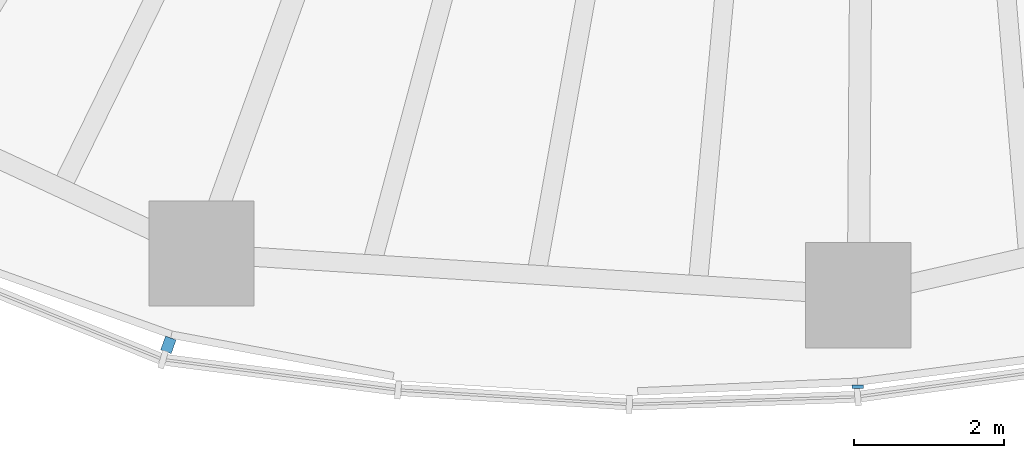
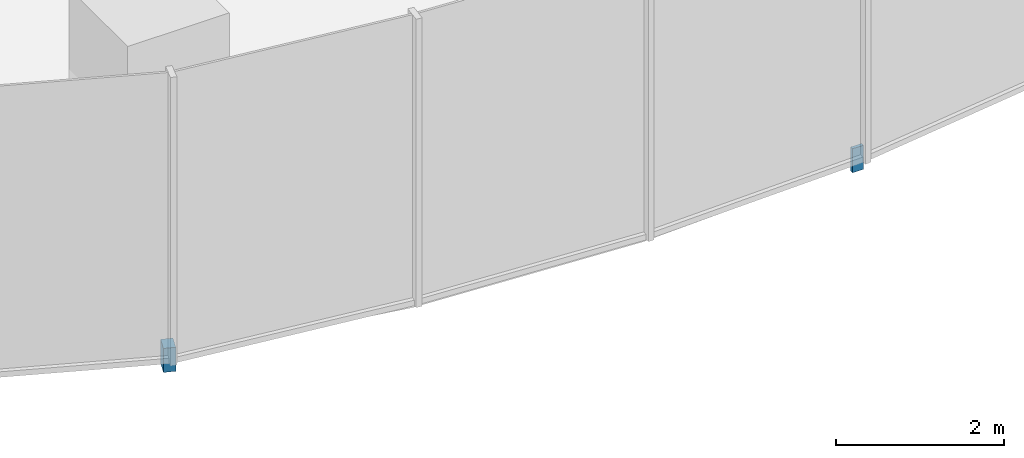
# One storey, part 12 of 18: 2 discrete accessories.
"""IFC4 building model written with IfcOpenShell, lengths in metres."""

import ifcopenshell
import ifcopenshell.guid

model = None  # the IFC model being written
_history = None  # IfcOwnerHistory: only IFC2X3 demands one
_inside = {}  # id of a spatial element -> (the spatial element, [elements in it])
_under = {}  # id of a project, library or spatial element -> (it, [spatial elements below it])
_declared = {}  # id of a project -> (the project, [libraries it declares])
_typed = {}  # id of a type object -> (the type object, [elements of that type])
_made_of = {}  # id of a material, layer set ... -> (it, [elements and type objects made of it])


def new_model(schema):
    """Start an empty IFC model of exactly this schema.

    Asked for "IFC4X3", IfcOpenShell would pick the latest addendum, in which some entities
    have other attributes; the version numbers below select the first issue.
    IFC2X3 requires an IfcOwnerHistory on every rooted entity: one is made here for all.
    """
    global model, _history
    if schema == "IFC4X3":
        model = ifcopenshell.file(schema_version=(4, 3, 0, 0))
    else:
        model = ifcopenshell.file(schema=schema)
    _inside.clear()
    _under.clear()
    _declared.clear()
    _typed.clear()
    _made_of.clear()
    _history = None
    if model.schema == "IFC2X3":
        org = make("IfcOrganization", Name="unknown")
        user = make(
            "IfcPersonAndOrganization",
            ThePerson=make("IfcPerson", FamilyName="unknown"),
            TheOrganization=org,
        )
        app = make(
            "IfcApplication",
            ApplicationDeveloper=org,
            Version="unknown",
            ApplicationFullName="unknown",
            ApplicationIdentifier="unknown",
        )
        _history = make(
            "IfcOwnerHistory",
            OwningUser=user,
            OwningApplication=app,
            ChangeAction="ADDED",
            CreationDate=0,
        )
    return model


def make(cls, **values):
    """One entity of the class cls with the attributes given. An attribute that is None is left unset."""
    return model.create_entity(
        cls, **{name: value for name, value in values.items() if value is not None}
    )


def rooted(cls, **values):
    """An entity with a GlobalId (a new one), such as an element, a storey or a relation."""
    return make(cls, GlobalId=ifcopenshell.guid.new(), OwnerHistory=_history, **values)


def si_unit(unit_type, name, prefix=None):
    """IfcSIUnit, for example si_unit("LENGTHUNIT", "METRE", prefix="MILLI")."""
    return make("IfcSIUnit", UnitType=unit_type, Prefix=prefix, Name=name)


def assignment(units):
    """IfcUnitAssignment: the units of a project."""
    return None if units is None else make("IfcUnitAssignment", Units=units)


def point(xyz):
    """IfcCartesianPoint."""
    return None if xyz is None else make("IfcCartesianPoint", Coordinates=xyz)


def direction(xyz):
    """IfcDirection."""
    return None if xyz is None else make("IfcDirection", DirectionRatios=xyz)


def frame(location, z_axis=None, x_axis=None):
    """IfcAxis2Placement3D, a coordinate frame: its origin and axes. An axis left out is left unset."""
    return make(
        "IfcAxis2Placement3D",
        Location=point(location),
        Axis=direction(z_axis),
        RefDirection=direction(x_axis),
    )


def frame_2d(location, x_axis=None):
    """IfcAxis2Placement2D, a coordinate frame in the plane: its origin and x axis."""
    return make(
        "IfcAxis2Placement2D", Location=point(location), RefDirection=direction(x_axis)
    )


def origin():
    """The frame at (0, 0, 0) with its axes left unset."""
    return frame((0.0, 0.0, 0.0))


def origin_2d():
    """The frame at (0, 0) in the plane with its x axis left unset."""
    return frame_2d((0.0, 0.0))


def place(relative_to, where):
    """IfcLocalPlacement: puts the frame where relative to a parent placement (None: the world)."""
    return make(
        "IfcLocalPlacement", PlacementRelTo=relative_to, RelativePlacement=where
    )


def context(
    kind, dimensions, precision=None, world=None, true_north=None, identifier=None
):
    """IfcGeometricRepresentationContext, for example the 3D "Model" context."""
    return make(
        "IfcGeometricRepresentationContext",
        ContextIdentifier=identifier,
        ContextType=kind,
        CoordinateSpaceDimension=dimensions,
        Precision=precision,
        WorldCoordinateSystem=world,
        TrueNorth=true_north,
    )


def subcontext(parent, identifier, kind, view, scale=None):
    """IfcGeometricRepresentationSubContext, for example "Body" below "Model"."""
    return make(
        "IfcGeometricRepresentationSubContext",
        ContextIdentifier=identifier,
        ContextType=kind,
        ParentContext=parent,
        TargetScale=scale,
        TargetView=view,
    )


def project(units=None, contexts=None):
    """IfcProject with its units and contexts."""
    return rooted(
        "IfcProject",
        Name="project",
        RepresentationContexts=contexts,
        UnitsInContext=assignment(units),
    )


def spatial(cls, under=None, at=None, **own):
    """A site, building, storey or space (cls), placed at a placement, below another one or the project."""
    s = rooted(cls, ObjectPlacement=at, **own)
    if under is not None:
        _under.setdefault(under.id(), (under, []))[1].append(s)
    return s


def profile(cls, at=None, kind="AREA", **sizes):
    """A parametric profile (cls). Its sizes go by their IFC names, for example OverallWidth=200.0."""
    return make(cls, ProfileType=kind, Position=at, **sizes)


def rectangle(**sizes):
    """IfcRectangleProfileDef."""
    return profile("IfcRectangleProfileDef", **sizes)


def extrude(swept, where, along, depth):
    """IfcExtrudedAreaSolid: the profile swept, set in the frame where, extruded along a direction by depth."""
    return make(
        "IfcExtrudedAreaSolid",
        SweptArea=swept,
        Position=where,
        ExtrudedDirection=direction(along),
        Depth=depth,
    )


def shape(context_of_items, identifier, shape_type, items):
    """IfcShapeRepresentation: the items that make up one representation, for example the "Body"."""
    return make(
        "IfcShapeRepresentation",
        ContextOfItems=context_of_items,
        RepresentationIdentifier=identifier,
        RepresentationType=shape_type,
        Items=items,
    )


def material(Name=None, Category=None):
    """IfcMaterial."""
    return make("IfcMaterial", Name=Name, Category=Category)


def made_of(thing, what):
    """Note that an element or type object is made of a material, layer set ...; save() writes the relation."""
    if what is not None:
        _made_of.setdefault(what.id(), (what, []))[1].append(thing)
    return thing


def type_object(cls, material=None, **own):
    """A type object (cls), such as IfcWallType, which elements share."""
    return made_of(rooted(cls, **own), material)


def element(
    cls,
    number,
    at=None,
    inside=None,
    cuts=None,
    type_object=None,
    material=None,
    context=None,
    identifier="Body",
    shape_type=None,
    held_by="IfcProductDefinitionShape",
    body=None,
    shapes=None,
    **own,
):
    """One element of the class cls, such as IfcWall. Its Tag is "e" and its number.

    at: its placement. inside: the storey or other place that contains it. cuts: it is an
    opening in that element (IfcRelVoidsElement). A single representation is given by context,
    identifier, shape_type and body (its items); several are given by shapes. held_by: the class
    of the entity that holds the representations. save() writes the other relations.
    """
    e = rooted(cls, Tag="e%d" % number, ObjectPlacement=at, **own)
    if body is not None:
        shapes = [shape(context, identifier, shape_type, body)]
    if shapes is not None:
        e.Representation = make(held_by, Representations=shapes)
    if inside is not None:
        _inside.setdefault(inside.id(), (inside, []))[1].append(e)
    if cuts is not None:
        rooted(
            "IfcRelVoidsElement", RelatingBuildingElement=cuts, RelatedOpeningElement=e
        )
    if type_object is not None:
        _typed.setdefault(type_object.id(), (type_object, []))[1].append(e)
    return made_of(e, material)


def aggregate(whole, parts):
    """IfcRelAggregates: a whole, such as a stair, and the parts it consists of."""
    return rooted("IfcRelAggregates", RelatingObject=whole, RelatedObjects=parts)


def save(model, path):
    """Write the relations noted so far, then the file.

    IfcRelAggregates (storeys below a building ...), IfcRelContainedInSpatialStructure (elements
    in a storey), IfcRelDefinesByType, IfcRelAssociatesMaterial and IfcRelDeclares: one each for
    every whole, place, type object, material and project.
    """
    for whole, parts in _under.values():
        aggregate(whole, parts)
    for where, things in _inside.values():
        rooted(
            "IfcRelContainedInSpatialStructure",
            RelatedElements=things,
            RelatingStructure=where,
        )
    for kind, things in _typed.values():
        rooted("IfcRelDefinesByType", RelatedObjects=things, RelatingType=kind)
    for what, things in _made_of.values():
        rooted("IfcRelAssociatesMaterial", RelatedObjects=things, RelatingMaterial=what)
    for by, libraries in _declared.values():
        rooted("IfcRelDeclares", RelatingContext=by, RelatedDefinitions=libraries)
    model.write(path)


model = new_model("IFC4")

# Units and contexts
model_context = context("Model", 3, precision=1e-05, world=origin(), true_north=direction((0.0, 1.0)))
body_context = subcontext(model_context, "Body", "Model", "MODEL_VIEW")
ifc_project = project(units=[si_unit("LENGTHUNIT", "METRE"), si_unit("AREAUNIT", "SQUARE_METRE"), si_unit("VOLUMEUNIT", "CUBIC_METRE"), si_unit("PLANEANGLEUNIT", "RADIAN"), si_unit("MASSUNIT", "GRAM", prefix="KILO")], contexts=[model_context])

# Site, building, storey
site_placement = place(None, origin())
site = spatial("IfcSite", under=ifc_project, at=site_placement, CompositionType="ELEMENT")
building_placement = place(site_placement, origin())
building = spatial("IfcBuilding", under=site, at=building_placement, Name="Ghaith Harvest Tower", CompositionType="ELEMENT")
storey_placement = place(building_placement, frame((0.0, 0.0, 172.199951171875)))
storey = spatial("IfcBuildingStorey", under=building, at=storey_placement, Name="L37", CompositionType="ELEMENT", Elevation=172.199951171875)

# Discrete accessories
ifc_material_1 = material(Name="Stainless steel grade 1.4401", Category="steel")
discrete_accessory_type_1 = type_object("IfcDiscreteAccessoryType", Name="CURTAIN WALL BRACKET 195", PredefinedType="BRACKET", material=ifc_material_1)
discrete_accessory_1_placement = place(storey_placement, frame((-9.348388671875, -25.883544921875, -0.25), z_axis=(0.0, 0.0, 1.0), x_axis=(-0.33969945263, -0.940534040789, 0.0)))
element("IfcDiscreteAccessory", 1, at=discrete_accessory_1_placement, inside=storey, type_object=discrete_accessory_type_1, Name="CW-L bracket 1 bay 15 L37", PredefinedType="BRACKET", context=body_context, shape_type="SweptSolid", body=[
    extrude(rectangle(XDim=0.195068359375, YDim=0.14990234375, at=origin_2d()), origin(), (0.0, 0.0, 1.0), 0.35009765625),
])
ifc_material_2 = material(Name="Stainless steel grade 1.4401", Category="steel")
discrete_accessory_type_2 = type_object("IfcDiscreteAccessoryType", Name="CURTAIN WALL BRACKET 45", PredefinedType="BRACKET", material=ifc_material_2)
discrete_accessory_2_placement = place(storey_placement, frame((-0.180908203125, -26.441162109375, -0.25), z_axis=(0.0, 0.0, 1.0), x_axis=(-0.006843747957, -0.999976581283, 0.0)))
element("IfcDiscreteAccessory", 2, at=discrete_accessory_2_placement, inside=storey, type_object=discrete_accessory_type_2, Name="CW-L bracket 1 bay 16 L37", PredefinedType="BRACKET", context=body_context, shape_type="SweptSolid", body=[
    extrude(rectangle(XDim=0.044921875, YDim=0.14990234375, at=origin_2d()), origin(), (0.0, 0.0, 1.0), 0.35009765625),
])

save(model, "model.ifc")
